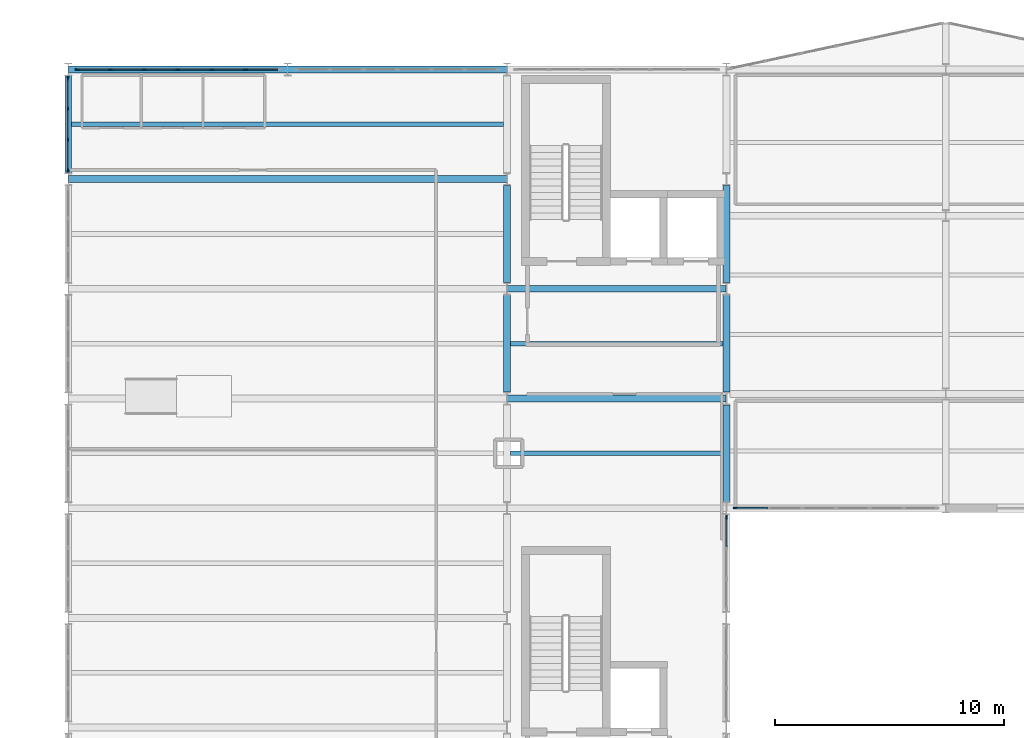
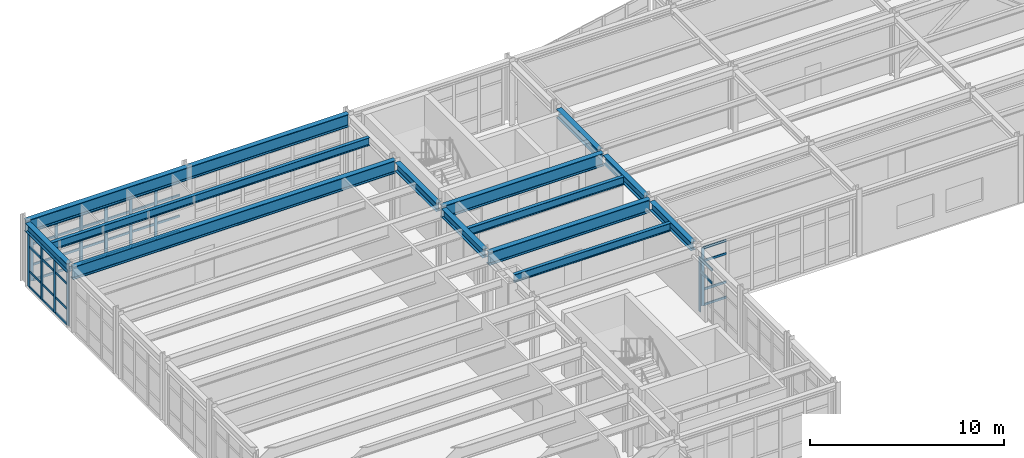
# One storey, part 33 of 88: 54 members, 13 beams, 4 elements without a shape of their own.
"""IFC4 building model written with IfcOpenShell, lengths in metres."""

from ifc_helpers import new_model, si_unit, direction, frame, origin, origin_2d, place, context, subcontext, project, spatial, rectangle, i_section, extrude, material, layer, layer_set, material_profile, profile_set, type_object, element, aggregate, save


model = new_model("IFC4")

# Units and contexts
model_context = context("Model", 3, precision=1e-05, world=origin(), true_north=direction((0.0, 1.0)))
body_context = subcontext(model_context, "Body", "Model", "MODEL_VIEW")
ifc_project = project(units=[si_unit("LENGTHUNIT", "METRE"), si_unit("AREAUNIT", "SQUARE_METRE"), si_unit("VOLUMEUNIT", "CUBIC_METRE"), si_unit("PLANEANGLEUNIT", "RADIAN"), si_unit("MASSUNIT", "GRAM", prefix="KILO")], contexts=[model_context])

# Site, building, storey
site_placement = place(None, origin())
site = spatial("IfcSite", under=ifc_project, at=site_placement, CompositionType="ELEMENT")
building_placement = place(site_placement, origin())
building = spatial("IfcBuilding", under=site, at=building_placement, Name="Nordkorset Police Headquarters", CompositionType="ELEMENT")
storey_placement = place(building_placement, frame((0.0, 0.0, 9.449951171875)))
storey = spatial("IfcBuildingStorey", under=building, at=storey_placement, Name="L02", CompositionType="ELEMENT", Elevation=9.449951171875)

# Beams
ifc_material_1 = material(Name="Steel S355J2", Category="steel")
ifc_material_profile_1 = material_profile(ifc_material_1, i_section(OverallWidth=0.199951171875, OverallDepth=0.5, WebThickness=0.01025390625, FlangeThickness=0.01611328125, FilletRadius=0.02099609375, at=origin_2d()), Name="IPE 500")
ifc_profile_set_1 = profile_set([ifc_material_profile_1], Name="Steel S355J2")
beam_type_1 = type_object("IfcBeamType", Name="Beam_IPE_500", PredefinedType="BEAM", material=ifc_profile_set_1)
beam_placement = place(storey_placement, frame((0.14990234375, 114.39990234375, 3.719970703125), z_axis=(1.0, 0.0, 0.0), x_axis=(0.0, 1.0, 0.0)))
element("IfcBeam", 1, at=beam_placement, inside=storey, type_object=beam_type_1, Name="Composite Floor Beam V1 L02 0-6-1", PredefinedType="BEAM", context=body_context, shape_type="SweptSolid", body=[
    extrude(i_section(OverallWidth=0.199951171875, OverallDepth=0.5, WebThickness=0.01025390625, FlangeThickness=0.01611328125, FilletRadius=0.02099609375, at=origin_2d()), origin(), (0.0, 0.0, 1.0), 18.900146484375),
])
for number, where, z_axis, x_axis, name in (
    (2, (19.35009765625, 100.0, 3.719970703125), (1.0, 0.0, 0.0), (0.0, 1.0, 0.0), "Composite Floor Beam V1 L02 1-3-1"),
    (3, (19.35009765625, 104.800048828125, 3.719970703125), (1.0, 0.0, 0.0), (0.0, 1.0, 0.0), "Composite Floor Beam V1 L02 1-4-1"),
):
    element("IfcBeam", number, at=place(storey_placement, frame(where, z_axis=z_axis, x_axis=x_axis)), inside=storey, type_object=beam_type_1, Name=name, PredefinedType="BEAM", context=body_context, shape_type="SweptSolid", body=[
        extrude(i_section(OverallWidth=0.199951171875, OverallDepth=0.5, WebThickness=0.01025390625, FlangeThickness=0.01611328125, FilletRadius=0.02099609375, at=origin_2d()), origin(), (0.0, 0.0, 1.0), 9.2998046875),
    ])

# Curtain wall, members
ifc_material_2 = material(Name="Aluminium alloy AW-6060", Category="aluminium")
ifc_layer_1 = layer(ifc_material_2, 0.179931640625, Name="Aluminium alloy AW-6060")
ifc_layer_set_1 = layer_set([ifc_layer_1], Name="Aluminium alloy AW-6060")
curtain_wall_type_1 = type_object("IfcCurtainWallType", Name="CW_Unit_408x341", PredefinedType="USERDEFINED", material=ifc_layer_set_1)
curtain_wall_1_placement = place(storey_placement, origin())
curtain_wall_1 = element("IfcCurtainWall", 4, at=curtain_wall_1_placement, inside=storey, type_object=curtain_wall_type_1, Name="Unitised Curtain Wall L02 V1W-6", ObjectType="UNITISED CURTAIN WALL", PredefinedType="USERDEFINED")
ifc_material_3 = material(Name="Aluminium alloy AW-6060", Category="aluminium")
ifc_material_profile_2 = material_profile(ifc_material_3, rectangle(XDim=0.06494140625, YDim=0.179931640625, at=origin_2d()), Name="ALU MULL 65x180")
ifc_profile_set_2 = profile_set([ifc_material_profile_2], Name="Aluminium alloy AW-6060")
member_type_1 = type_object("IfcMemberType", Name="CW_Mullion_65x180", PredefinedType="MULLION", material=ifc_profile_set_2)
member_1_placement = place(storey_placement, frame((0.0, 112.392578125, 0.0), z_axis=(0.0, 0.0, 1.0), x_axis=(-1.0, 0.0, 0.0)))
member_1 = element("IfcMember", 5, at=member_1_placement, type_object=member_type_1, Name="CW-40 mullion 1", PredefinedType="MULLION", context=body_context, shape_type="SweptSolid", body=[
    extrude(rectangle(XDim=0.06494140625, YDim=0.179931640625, at=origin_2d()), origin(), (0.0, 0.0, 1.0), 3.41015625),
])
member_2_placement = place(storey_placement, frame((0.0, 113.719970703125, 0.0), z_axis=(0.0, 0.0, 1.0), x_axis=(-1.0, 0.0, 0.0)))
member_2 = element("IfcMember", 6, at=member_2_placement, type_object=member_type_1, Name="CW-40 mullion 2", PredefinedType="MULLION", context=body_context, shape_type="SweptSolid", body=[
    extrude(rectangle(XDim=0.06494140625, YDim=0.179931640625, at=origin_2d()), origin(), (0.0, 0.0, 1.0), 3.41015625),
])
member_3_placement = place(storey_placement, frame((0.0, 115.080078125, 0.0), z_axis=(0.0, 0.0, 1.0), x_axis=(-1.0, 0.0, 0.0)))
member_3 = element("IfcMember", 7, at=member_3_placement, type_object=member_type_1, Name="CW-40 mullion 3", PredefinedType="MULLION", context=body_context, shape_type="SweptSolid", body=[
    extrude(rectangle(XDim=0.06494140625, YDim=0.179931640625, at=origin_2d()), origin(), (0.0, 0.0, 1.0), 3.41015625),
])
member_4_placement = place(storey_placement, frame((0.0, 116.407470703125, 0.0), z_axis=(0.0, 0.0, 1.0), x_axis=(-1.0, 0.0, 0.0)))
member_4 = element("IfcMember", 8, at=member_4_placement, type_object=member_type_1, Name="CW-40 mullion 4", PredefinedType="MULLION", context=body_context, shape_type="SweptSolid", body=[
    extrude(rectangle(XDim=0.06494140625, YDim=0.179931640625, at=origin_2d()), origin(), (0.0, 0.0, 1.0), 3.41015625),
])

ifc_material_4 = material(Name="Aluminium alloy AW-6060", Category="aluminium")
ifc_layer_2 = layer(ifc_material_4, 0.179931640625, Name="Aluminium alloy AW-6060")
ifc_layer_set_2 = layer_set([ifc_layer_2], Name="Aluminium alloy AW-6060")
curtain_wall_type_2 = type_object("IfcCurtainWallType", Name="CW_Unit_888x315", PredefinedType="USERDEFINED", material=ifc_layer_set_2)
curtain_wall_2_placement = place(storey_placement, origin())
curtain_wall_2 = element("IfcCurtainWall", 9, at=curtain_wall_2_placement, inside=storey, type_object=curtain_wall_type_2, Name="Unitised Curtain Wall L02 V1N-0", ObjectType="UNITISED CURTAIN WALL", PredefinedType="USERDEFINED")
member_5_placement = place(storey_placement, frame((0.392578125, 116.800048828125, 0.0), z_axis=(0.0, 0.0, 1.0), x_axis=(0.0, 1.0, 0.0)))
member_5 = element("IfcMember", 10, at=member_5_placement, type_object=member_type_1, Name="CW-22 mullion 1", PredefinedType="MULLION", context=body_context, shape_type="SweptSolid", body=[
    extrude(rectangle(XDim=0.06494140625, YDim=0.179931640625, at=origin_2d()), origin(), (0.0, 0.0, 1.0), 3.150146484375),
])
member_6_placement = place(storey_placement, frame((1.840087890625, 116.800048828125, 0.0), z_axis=(0.0, 0.0, 1.0), x_axis=(0.0, 1.0, 0.0)))
member_6 = element("IfcMember", 11, at=member_6_placement, type_object=member_type_1, Name="CW-22 mullion 2", PredefinedType="MULLION", context=body_context, shape_type="SweptSolid", body=[
    extrude(rectangle(XDim=0.06494140625, YDim=0.179931640625, at=origin_2d()), origin(), (0.0, 0.0, 1.0), 3.150146484375),
])
member_7_placement = place(storey_placement, frame((3.320068359375, 116.800048828125, 0.0), z_axis=(0.0, 0.0, 1.0), x_axis=(0.0, 1.0, 0.0)))
member_7 = element("IfcMember", 12, at=member_7_placement, type_object=member_type_1, Name="CW-22 mullion 3", PredefinedType="MULLION", context=body_context, shape_type="SweptSolid", body=[
    extrude(rectangle(XDim=0.06494140625, YDim=0.179931640625, at=origin_2d()), origin(), (0.0, 0.0, 1.0), 3.150146484375),
])
member_8_placement = place(storey_placement, frame((4.800048828125, 116.800048828125, 0.0), z_axis=(0.0, 0.0, 1.0), x_axis=(0.0, 1.0, 0.0)))
member_8 = element("IfcMember", 13, at=member_8_placement, type_object=member_type_1, Name="CW-22 mullion 4", PredefinedType="MULLION", context=body_context, shape_type="SweptSolid", body=[
    extrude(rectangle(XDim=0.06494140625, YDim=0.179931640625, at=origin_2d()), origin(), (0.0, 0.0, 1.0), 3.150146484375),
])
member_9_placement = place(storey_placement, frame((6.280029296875, 116.800048828125, 0.0), z_axis=(0.0, 0.0, 1.0), x_axis=(0.0, 1.0, 0.0)))
member_9 = element("IfcMember", 14, at=member_9_placement, type_object=member_type_1, Name="CW-22 mullion 5", PredefinedType="MULLION", context=body_context, shape_type="SweptSolid", body=[
    extrude(rectangle(XDim=0.06494140625, YDim=0.179931640625, at=origin_2d()), origin(), (0.0, 0.0, 1.0), 3.150146484375),
])
member_10_placement = place(storey_placement, frame((7.760009765625, 116.800048828125, 0.0), z_axis=(0.0, 0.0, 1.0), x_axis=(0.0, 1.0, 0.0)))
member_10 = element("IfcMember", 15, at=member_10_placement, type_object=member_type_1, Name="CW-22 mullion 6", PredefinedType="MULLION", context=body_context, shape_type="SweptSolid", body=[
    extrude(rectangle(XDim=0.06494140625, YDim=0.179931640625, at=origin_2d()), origin(), (0.0, 0.0, 1.0), 3.150146484375),
])

# Curtain wall, member
curtain_wall_3_placement = place(storey_placement, origin())
curtain_wall_3 = element("IfcCurtainWall", 16, at=curtain_wall_3_placement, inside=storey, type_object=curtain_wall_type_1, Name="Unitised Curtain Wall L02 V1E-2", ObjectType="UNITISED CURTAIN WALL", PredefinedType="USERDEFINED")
member_11_placement = place(storey_placement, frame((28.800048828125, 97.20751953125, 0.0), z_axis=(0.0, 0.0, 1.0), x_axis=(-1.0, 0.0, 0.0)))
member_11 = element("IfcMember", 17, at=member_11_placement, type_object=member_type_1, Name="CW-40 mullion 4", PredefinedType="MULLION", context=body_context, shape_type="SweptSolid", body=[
    extrude(rectangle(XDim=0.06494140625, YDim=0.179931640625, at=origin_2d()), origin(), (0.0, 0.0, 1.0), 3.41015625),
])

ifc_material_5 = material(Name="Aluminium alloy AW-6060", Category="aluminium")
ifc_layer_3 = layer(ifc_material_5, 0.179931640625, Name="Aluminium alloy AW-6060")
ifc_layer_set_3 = layer_set([ifc_layer_3], Name="Aluminium alloy AW-6060")
curtain_wall_type_3 = type_object("IfcCurtainWallType", Name="CW_Unit_888x364", PredefinedType="USERDEFINED", material=ifc_layer_set_3)
curtain_wall_4_placement = place(storey_placement, origin())
curtain_wall_4 = element("IfcCurtainWall", 18, at=curtain_wall_4_placement, inside=storey, type_object=curtain_wall_type_3, Name="Unitised Curtain Wall L02 V2S-0", ObjectType="UNITISED CURTAIN WALL", PredefinedType="USERDEFINED")
member_12_placement = place(storey_placement, frame((29.1923828125, 97.60009765625, 0.0), z_axis=(0.0, 0.0, 1.0), x_axis=(0.0, 1.0, 0.0)))
member_12 = element("IfcMember", 19, at=member_12_placement, type_object=member_type_1, Name="CW-53 mullion 1", PredefinedType="MULLION", context=body_context, shape_type="SweptSolid", body=[
    extrude(rectangle(XDim=0.06494140625, YDim=0.179931640625, at=origin_2d()), origin(), (0.0, 0.0, 1.0), 3.64013671875),
])

# Member
ifc_material_6 = material(Name="Aluminium alloy AW-6060", Category="aluminium")
ifc_material_profile_3 = material_profile(ifc_material_6, rectangle(XDim=0.06494140625, YDim=0.139892578125, at=origin_2d()), Name="ALU TRAN 65x140")
ifc_profile_set_3 = profile_set([ifc_material_profile_3], Name="Aluminium alloy AW-6060")
member_type_2 = type_object("IfcMemberType", Name="CW_Transom_65x140", PredefinedType="USERDEFINED", material=ifc_profile_set_3)
member_13_placement = place(storey_placement, frame((0.0, 112.425048828125, 0.032470703125), z_axis=(0.0, 1.0, 0.0), x_axis=(-1.0, 0.0, 0.0)))
member_13 = element("IfcMember", 20, at=member_13_placement, type_object=member_type_2, Name="CW-40 transom 1.1", ObjectType="TRANSOM", PredefinedType="USERDEFINED", context=body_context, shape_type="SweptSolid", body=[
    extrude(rectangle(XDim=0.06494140625, YDim=0.139892578125, at=origin_2d()), origin(), (0.0, 0.0, 1.0), 1.262451171875),
])

member_14_placement = place(storey_placement, frame((0.0, 112.425048828125, 1.0), z_axis=(0.0, 1.0, 0.0), x_axis=(-1.0, 0.0, 0.0)))
member_14 = element("IfcMember", 21, at=member_14_placement, type_object=member_type_2, Name="CW-40 transom 1.2", ObjectType="TRANSOM", PredefinedType="USERDEFINED", context=body_context, shape_type="SweptSolid", body=[
    extrude(rectangle(XDim=0.06494140625, YDim=0.139892578125, at=origin_2d()), origin(), (0.0, 0.0, 1.0), 1.262451171875),
])

member_15_placement = place(storey_placement, frame((0.0, 112.425048828125, 2.56005859375), z_axis=(0.0, 1.0, 0.0), x_axis=(-1.0, 0.0, 0.0)))
member_15 = element("IfcMember", 22, at=member_15_placement, type_object=member_type_2, Name="CW-40 transom 1.3", ObjectType="TRANSOM", PredefinedType="USERDEFINED", context=body_context, shape_type="SweptSolid", body=[
    extrude(rectangle(XDim=0.06494140625, YDim=0.139892578125, at=origin_2d()), origin(), (0.0, 0.0, 1.0), 1.262451171875),
])

member_16_placement = place(storey_placement, frame((0.0, 112.425048828125, 3.37744140625), z_axis=(0.0, 1.0, 0.0), x_axis=(-1.0, 0.0, 0.0)))
member_16 = element("IfcMember", 23, at=member_16_placement, type_object=member_type_2, Name="CW-40 transom 1.4", ObjectType="TRANSOM", PredefinedType="USERDEFINED", context=body_context, shape_type="SweptSolid", body=[
    extrude(rectangle(XDim=0.06494140625, YDim=0.139892578125, at=origin_2d()), origin(), (0.0, 0.0, 1.0), 1.262451171875),
])

member_17_placement = place(storey_placement, frame((0.0, 113.75244140625, 0.032470703125), z_axis=(0.0, 1.0, 0.0), x_axis=(-1.0, 0.0, 0.0)))
member_17 = element("IfcMember", 24, at=member_17_placement, type_object=member_type_2, Name="CW-40 transom 2.1", ObjectType="TRANSOM", PredefinedType="USERDEFINED", context=body_context, shape_type="SweptSolid", body=[
    extrude(rectangle(XDim=0.06494140625, YDim=0.139892578125, at=origin_2d()), origin(), (0.0, 0.0, 1.0), 1.295166015625),
])

member_18_placement = place(storey_placement, frame((0.0, 113.75244140625, 1.0), z_axis=(0.0, 1.0, 0.0), x_axis=(-1.0, 0.0, 0.0)))
member_18 = element("IfcMember", 25, at=member_18_placement, type_object=member_type_2, Name="CW-40 transom 2.2", ObjectType="TRANSOM", PredefinedType="USERDEFINED", context=body_context, shape_type="SweptSolid", body=[
    extrude(rectangle(XDim=0.06494140625, YDim=0.139892578125, at=origin_2d()), origin(), (0.0, 0.0, 1.0), 1.295166015625),
])

member_19_placement = place(storey_placement, frame((0.0, 113.75244140625, 2.56005859375), z_axis=(0.0, 1.0, 0.0), x_axis=(-1.0, 0.0, 0.0)))
member_19 = element("IfcMember", 26, at=member_19_placement, type_object=member_type_2, Name="CW-40 transom 2.3", ObjectType="TRANSOM", PredefinedType="USERDEFINED", context=body_context, shape_type="SweptSolid", body=[
    extrude(rectangle(XDim=0.06494140625, YDim=0.139892578125, at=origin_2d()), origin(), (0.0, 0.0, 1.0), 1.295166015625),
])

member_20_placement = place(storey_placement, frame((0.0, 113.75244140625, 3.37744140625), z_axis=(0.0, 1.0, 0.0), x_axis=(-1.0, 0.0, 0.0)))
member_20 = element("IfcMember", 27, at=member_20_placement, type_object=member_type_2, Name="CW-40 transom 2.4", ObjectType="TRANSOM", PredefinedType="USERDEFINED", context=body_context, shape_type="SweptSolid", body=[
    extrude(rectangle(XDim=0.06494140625, YDim=0.139892578125, at=origin_2d()), origin(), (0.0, 0.0, 1.0), 1.295166015625),
])

member_21_placement = place(storey_placement, frame((0.0, 115.112548828125, 0.032470703125), z_axis=(0.0, 1.0, 0.0), x_axis=(-1.0, 0.0, 0.0)))
member_21 = element("IfcMember", 28, at=member_21_placement, type_object=member_type_2, Name="CW-40 transom 3.1", ObjectType="TRANSOM", PredefinedType="USERDEFINED", context=body_context, shape_type="SweptSolid", body=[
    extrude(rectangle(XDim=0.06494140625, YDim=0.139892578125, at=origin_2d()), origin(), (0.0, 0.0, 1.0), 1.262451171875),
])

member_22_placement = place(storey_placement, frame((0.0, 115.112548828125, 1.0), z_axis=(0.0, 1.0, 0.0), x_axis=(-1.0, 0.0, 0.0)))
member_22 = element("IfcMember", 29, at=member_22_placement, type_object=member_type_2, Name="CW-40 transom 3.2", ObjectType="TRANSOM", PredefinedType="USERDEFINED", context=body_context, shape_type="SweptSolid", body=[
    extrude(rectangle(XDim=0.06494140625, YDim=0.139892578125, at=origin_2d()), origin(), (0.0, 0.0, 1.0), 1.262451171875),
])

member_23_placement = place(storey_placement, frame((0.0, 115.112548828125, 2.56005859375), z_axis=(0.0, 1.0, 0.0), x_axis=(-1.0, 0.0, 0.0)))
member_23 = element("IfcMember", 30, at=member_23_placement, type_object=member_type_2, Name="CW-40 transom 3.3", ObjectType="TRANSOM", PredefinedType="USERDEFINED", context=body_context, shape_type="SweptSolid", body=[
    extrude(rectangle(XDim=0.06494140625, YDim=0.139892578125, at=origin_2d()), origin(), (0.0, 0.0, 1.0), 1.262451171875),
])

member_24_placement = place(storey_placement, frame((0.0, 115.112548828125, 3.37744140625), z_axis=(0.0, 1.0, 0.0), x_axis=(-1.0, 0.0, 0.0)))
member_24 = element("IfcMember", 31, at=member_24_placement, type_object=member_type_2, Name="CW-40 transom 3.4", ObjectType="TRANSOM", PredefinedType="USERDEFINED", context=body_context, shape_type="SweptSolid", body=[
    extrude(rectangle(XDim=0.06494140625, YDim=0.139892578125, at=origin_2d()), origin(), (0.0, 0.0, 1.0), 1.262451171875),
])

aggregate(curtain_wall_1, [member_1, member_2, member_3, member_4, member_13, member_14, member_15, member_16, member_17, member_18, member_19, member_20, member_21, member_22, member_23, member_24])

member_25_placement = place(storey_placement, frame((0.425048828125, 116.800048828125, 0.032470703125), z_axis=(1.0, 0.0, 0.0), x_axis=(0.0, 1.0, 0.0)))
member_25 = element("IfcMember", 32, at=member_25_placement, type_object=member_type_2, Name="CW-22 transom 1.1", ObjectType="TRANSOM", PredefinedType="USERDEFINED", context=body_context, shape_type="SweptSolid", body=[
    extrude(rectangle(XDim=0.06494140625, YDim=0.139892578125, at=origin_2d()), origin(), (0.0, 0.0, 1.0), 1.382568359375),
])

member_26_placement = place(storey_placement, frame((0.425048828125, 116.800048828125, 1.0), z_axis=(1.0, 0.0, 0.0), x_axis=(0.0, 1.0, 0.0)))
member_26 = element("IfcMember", 33, at=member_26_placement, type_object=member_type_2, Name="CW-22 transom 1.2", ObjectType="TRANSOM", PredefinedType="USERDEFINED", context=body_context, shape_type="SweptSolid", body=[
    extrude(rectangle(XDim=0.06494140625, YDim=0.139892578125, at=origin_2d()), origin(), (0.0, 0.0, 1.0), 1.382568359375),
])

member_27_placement = place(storey_placement, frame((0.425048828125, 116.800048828125, 2.300048828125), z_axis=(1.0, 0.0, 0.0), x_axis=(0.0, 1.0, 0.0)))
member_27 = element("IfcMember", 34, at=member_27_placement, type_object=member_type_2, Name="CW-22 transom 1.3", ObjectType="TRANSOM", PredefinedType="USERDEFINED", context=body_context, shape_type="SweptSolid", body=[
    extrude(rectangle(XDim=0.06494140625, YDim=0.139892578125, at=origin_2d()), origin(), (0.0, 0.0, 1.0), 1.382568359375),
])

member_28_placement = place(storey_placement, frame((0.425048828125, 116.800048828125, 3.117431640625), z_axis=(1.0, 0.0, 0.0), x_axis=(0.0, 1.0, 0.0)))
member_28 = element("IfcMember", 35, at=member_28_placement, type_object=member_type_2, Name="CW-22 transom 1.4", ObjectType="TRANSOM", PredefinedType="USERDEFINED", context=body_context, shape_type="SweptSolid", body=[
    extrude(rectangle(XDim=0.06494140625, YDim=0.139892578125, at=origin_2d()), origin(), (0.0, 0.0, 1.0), 1.382568359375),
])

member_29_placement = place(storey_placement, frame((1.87255859375, 116.800048828125, 0.032470703125), z_axis=(1.0, 0.0, 0.0), x_axis=(0.0, 1.0, 0.0)))
member_29 = element("IfcMember", 36, at=member_29_placement, type_object=member_type_2, Name="CW-22 transom 2.1", ObjectType="TRANSOM", PredefinedType="USERDEFINED", context=body_context, shape_type="SweptSolid", body=[
    extrude(rectangle(XDim=0.06494140625, YDim=0.139892578125, at=origin_2d()), origin(), (0.0, 0.0, 1.0), 1.4150390625),
])

member_30_placement = place(storey_placement, frame((1.87255859375, 116.800048828125, 1.0), z_axis=(1.0, 0.0, 0.0), x_axis=(0.0, 1.0, 0.0)))
member_30 = element("IfcMember", 37, at=member_30_placement, type_object=member_type_2, Name="CW-22 transom 2.2", ObjectType="TRANSOM", PredefinedType="USERDEFINED", context=body_context, shape_type="SweptSolid", body=[
    extrude(rectangle(XDim=0.06494140625, YDim=0.139892578125, at=origin_2d()), origin(), (0.0, 0.0, 1.0), 1.4150390625),
])

member_31_placement = place(storey_placement, frame((1.87255859375, 116.800048828125, 2.300048828125), z_axis=(1.0, 0.0, 0.0), x_axis=(0.0, 1.0, 0.0)))
member_31 = element("IfcMember", 38, at=member_31_placement, type_object=member_type_2, Name="CW-22 transom 2.3", ObjectType="TRANSOM", PredefinedType="USERDEFINED", context=body_context, shape_type="SweptSolid", body=[
    extrude(rectangle(XDim=0.06494140625, YDim=0.139892578125, at=origin_2d()), origin(), (0.0, 0.0, 1.0), 1.4150390625),
])

member_32_placement = place(storey_placement, frame((1.87255859375, 116.800048828125, 3.117431640625), z_axis=(1.0, 0.0, 0.0), x_axis=(0.0, 1.0, 0.0)))
member_32 = element("IfcMember", 39, at=member_32_placement, type_object=member_type_2, Name="CW-22 transom 2.4", ObjectType="TRANSOM", PredefinedType="USERDEFINED", context=body_context, shape_type="SweptSolid", body=[
    extrude(rectangle(XDim=0.06494140625, YDim=0.139892578125, at=origin_2d()), origin(), (0.0, 0.0, 1.0), 1.4150390625),
])

member_33_placement = place(storey_placement, frame((3.3525390625, 116.800048828125, 0.032470703125), z_axis=(1.0, 0.0, 0.0), x_axis=(0.0, 1.0, 0.0)))
member_33 = element("IfcMember", 40, at=member_33_placement, type_object=member_type_2, Name="CW-22 transom 3.1", ObjectType="TRANSOM", PredefinedType="USERDEFINED", context=body_context, shape_type="SweptSolid", body=[
    extrude(rectangle(XDim=0.06494140625, YDim=0.139892578125, at=origin_2d()), origin(), (0.0, 0.0, 1.0), 1.4150390625),
])

member_34_placement = place(storey_placement, frame((3.3525390625, 116.800048828125, 1.0), z_axis=(1.0, 0.0, 0.0), x_axis=(0.0, 1.0, 0.0)))
member_34 = element("IfcMember", 41, at=member_34_placement, type_object=member_type_2, Name="CW-22 transom 3.2", ObjectType="TRANSOM", PredefinedType="USERDEFINED", context=body_context, shape_type="SweptSolid", body=[
    extrude(rectangle(XDim=0.06494140625, YDim=0.139892578125, at=origin_2d()), origin(), (0.0, 0.0, 1.0), 1.4150390625),
])

member_35_placement = place(storey_placement, frame((3.3525390625, 116.800048828125, 2.300048828125), z_axis=(1.0, 0.0, 0.0), x_axis=(0.0, 1.0, 0.0)))
member_35 = element("IfcMember", 42, at=member_35_placement, type_object=member_type_2, Name="CW-22 transom 3.3", ObjectType="TRANSOM", PredefinedType="USERDEFINED", context=body_context, shape_type="SweptSolid", body=[
    extrude(rectangle(XDim=0.06494140625, YDim=0.139892578125, at=origin_2d()), origin(), (0.0, 0.0, 1.0), 1.4150390625),
])

member_36_placement = place(storey_placement, frame((3.3525390625, 116.800048828125, 3.117431640625), z_axis=(1.0, 0.0, 0.0), x_axis=(0.0, 1.0, 0.0)))
member_36 = element("IfcMember", 43, at=member_36_placement, type_object=member_type_2, Name="CW-22 transom 3.4", ObjectType="TRANSOM", PredefinedType="USERDEFINED", context=body_context, shape_type="SweptSolid", body=[
    extrude(rectangle(XDim=0.06494140625, YDim=0.139892578125, at=origin_2d()), origin(), (0.0, 0.0, 1.0), 1.4150390625),
])

member_37_placement = place(storey_placement, frame((4.83251953125, 116.800048828125, 0.032470703125), z_axis=(1.0, 0.0, 0.0), x_axis=(0.0, 1.0, 0.0)))
member_37 = element("IfcMember", 44, at=member_37_placement, type_object=member_type_2, Name="CW-22 transom 4.1", ObjectType="TRANSOM", PredefinedType="USERDEFINED", context=body_context, shape_type="SweptSolid", body=[
    extrude(rectangle(XDim=0.06494140625, YDim=0.139892578125, at=origin_2d()), origin(), (0.0, 0.0, 1.0), 1.4150390625),
])

member_38_placement = place(storey_placement, frame((4.83251953125, 116.800048828125, 1.0), z_axis=(1.0, 0.0, 0.0), x_axis=(0.0, 1.0, 0.0)))
member_38 = element("IfcMember", 45, at=member_38_placement, type_object=member_type_2, Name="CW-22 transom 4.2", ObjectType="TRANSOM", PredefinedType="USERDEFINED", context=body_context, shape_type="SweptSolid", body=[
    extrude(rectangle(XDim=0.06494140625, YDim=0.139892578125, at=origin_2d()), origin(), (0.0, 0.0, 1.0), 1.4150390625),
])

member_39_placement = place(storey_placement, frame((4.83251953125, 116.800048828125, 2.300048828125), z_axis=(1.0, 0.0, 0.0), x_axis=(0.0, 1.0, 0.0)))
member_39 = element("IfcMember", 46, at=member_39_placement, type_object=member_type_2, Name="CW-22 transom 4.3", ObjectType="TRANSOM", PredefinedType="USERDEFINED", context=body_context, shape_type="SweptSolid", body=[
    extrude(rectangle(XDim=0.06494140625, YDim=0.139892578125, at=origin_2d()), origin(), (0.0, 0.0, 1.0), 1.4150390625),
])

member_40_placement = place(storey_placement, frame((4.83251953125, 116.800048828125, 3.117431640625), z_axis=(1.0, 0.0, 0.0), x_axis=(0.0, 1.0, 0.0)))
member_40 = element("IfcMember", 47, at=member_40_placement, type_object=member_type_2, Name="CW-22 transom 4.4", ObjectType="TRANSOM", PredefinedType="USERDEFINED", context=body_context, shape_type="SweptSolid", body=[
    extrude(rectangle(XDim=0.06494140625, YDim=0.139892578125, at=origin_2d()), origin(), (0.0, 0.0, 1.0), 1.4150390625),
])

member_41_placement = place(storey_placement, frame((6.3125, 116.800048828125, 0.032470703125), z_axis=(1.0, 0.0, 0.0), x_axis=(0.0, 1.0, 0.0)))
member_41 = element("IfcMember", 48, at=member_41_placement, type_object=member_type_2, Name="CW-22 transom 5.1", ObjectType="TRANSOM", PredefinedType="USERDEFINED", context=body_context, shape_type="SweptSolid", body=[
    extrude(rectangle(XDim=0.06494140625, YDim=0.139892578125, at=origin_2d()), origin(), (0.0, 0.0, 1.0), 1.4150390625),
])

member_42_placement = place(storey_placement, frame((6.3125, 116.800048828125, 1.0), z_axis=(1.0, 0.0, 0.0), x_axis=(0.0, 1.0, 0.0)))
member_42 = element("IfcMember", 49, at=member_42_placement, type_object=member_type_2, Name="CW-22 transom 5.2", ObjectType="TRANSOM", PredefinedType="USERDEFINED", context=body_context, shape_type="SweptSolid", body=[
    extrude(rectangle(XDim=0.06494140625, YDim=0.139892578125, at=origin_2d()), origin(), (0.0, 0.0, 1.0), 1.4150390625),
])

member_43_placement = place(storey_placement, frame((6.3125, 116.800048828125, 2.300048828125), z_axis=(1.0, 0.0, 0.0), x_axis=(0.0, 1.0, 0.0)))
member_43 = element("IfcMember", 50, at=member_43_placement, type_object=member_type_2, Name="CW-22 transom 5.3", ObjectType="TRANSOM", PredefinedType="USERDEFINED", context=body_context, shape_type="SweptSolid", body=[
    extrude(rectangle(XDim=0.06494140625, YDim=0.139892578125, at=origin_2d()), origin(), (0.0, 0.0, 1.0), 1.4150390625),
])

member_44_placement = place(storey_placement, frame((6.3125, 116.800048828125, 3.117431640625), z_axis=(1.0, 0.0, 0.0), x_axis=(0.0, 1.0, 0.0)))
member_44 = element("IfcMember", 51, at=member_44_placement, type_object=member_type_2, Name="CW-22 transom 5.4", ObjectType="TRANSOM", PredefinedType="USERDEFINED", context=body_context, shape_type="SweptSolid", body=[
    extrude(rectangle(XDim=0.06494140625, YDim=0.139892578125, at=origin_2d()), origin(), (0.0, 0.0, 1.0), 1.4150390625),
])

member_45_placement = place(storey_placement, frame((7.79248046875, 116.800048828125, 0.032470703125), z_axis=(1.0, 0.0, 0.0), x_axis=(0.0, 1.0, 0.0)))
member_45 = element("IfcMember", 52, at=member_45_placement, type_object=member_type_2, Name="CW-22 transom 6.1", ObjectType="TRANSOM", PredefinedType="USERDEFINED", context=body_context, shape_type="SweptSolid", body=[
    extrude(rectangle(XDim=0.06494140625, YDim=0.139892578125, at=origin_2d()), origin(), (0.0, 0.0, 1.0), 1.382568359375),
])

member_46_placement = place(storey_placement, frame((7.79248046875, 116.800048828125, 1.0), z_axis=(1.0, 0.0, 0.0), x_axis=(0.0, 1.0, 0.0)))
member_46 = element("IfcMember", 53, at=member_46_placement, type_object=member_type_2, Name="CW-22 transom 6.2", ObjectType="TRANSOM", PredefinedType="USERDEFINED", context=body_context, shape_type="SweptSolid", body=[
    extrude(rectangle(XDim=0.06494140625, YDim=0.139892578125, at=origin_2d()), origin(), (0.0, 0.0, 1.0), 1.382568359375),
])

member_47_placement = place(storey_placement, frame((7.79248046875, 116.800048828125, 2.300048828125), z_axis=(1.0, 0.0, 0.0), x_axis=(0.0, 1.0, 0.0)))
member_47 = element("IfcMember", 54, at=member_47_placement, type_object=member_type_2, Name="CW-22 transom 6.3", ObjectType="TRANSOM", PredefinedType="USERDEFINED", context=body_context, shape_type="SweptSolid", body=[
    extrude(rectangle(XDim=0.06494140625, YDim=0.139892578125, at=origin_2d()), origin(), (0.0, 0.0, 1.0), 1.382568359375),
])

member_48_placement = place(storey_placement, frame((7.79248046875, 116.800048828125, 3.117431640625), z_axis=(1.0, 0.0, 0.0), x_axis=(0.0, 1.0, 0.0)))
member_48 = element("IfcMember", 55, at=member_48_placement, type_object=member_type_2, Name="CW-22 transom 6.4", ObjectType="TRANSOM", PredefinedType="USERDEFINED", context=body_context, shape_type="SweptSolid", body=[
    extrude(rectangle(XDim=0.06494140625, YDim=0.139892578125, at=origin_2d()), origin(), (0.0, 0.0, 1.0), 1.382568359375),
])

aggregate(curtain_wall_2, [member_5, member_6, member_7, member_8, member_9, member_10, member_25, member_26, member_27, member_28, member_29, member_30, member_31, member_32, member_33, member_34, member_35, member_36, member_37, member_38, member_39, member_40, member_41, member_42, member_43, member_44, member_45, member_46, member_47, member_48])

member_49_placement = place(storey_placement, frame((28.800048828125, 95.91259765625, 2.56005859375), z_axis=(0.0, 1.0, 0.0), x_axis=(-1.0, 0.0, 0.0)))
member_49 = element("IfcMember", 56, at=member_49_placement, type_object=member_type_2, Name="CW-40 transom 3.3", ObjectType="TRANSOM", PredefinedType="USERDEFINED", context=body_context, shape_type="SweptSolid", body=[
    extrude(rectangle(XDim=0.06494140625, YDim=0.139892578125, at=origin_2d()), origin(), (0.0, 0.0, 1.0), 1.262451171875),
])

member_50_placement = place(storey_placement, frame((28.800048828125, 95.91259765625, 3.37744140625), z_axis=(0.0, 1.0, 0.0), x_axis=(-1.0, 0.0, 0.0)))
member_50 = element("IfcMember", 57, at=member_50_placement, type_object=member_type_2, Name="CW-40 transom 3.4", ObjectType="TRANSOM", PredefinedType="USERDEFINED", context=body_context, shape_type="SweptSolid", body=[
    extrude(rectangle(XDim=0.06494140625, YDim=0.139892578125, at=origin_2d()), origin(), (0.0, 0.0, 1.0), 1.262451171875),
])

aggregate(curtain_wall_3, [member_11, member_49, member_50])

member_51_placement = place(storey_placement, frame((29.22509765625, 97.60009765625, 0.032470703125), z_axis=(1.0, 0.0, 0.0), x_axis=(0.0, 1.0, 0.0)))
member_51 = element("IfcMember", 58, at=member_51_placement, type_object=member_type_2, Name="CW-53 transom 1.1", ObjectType="TRANSOM", PredefinedType="USERDEFINED", context=body_context, shape_type="SweptSolid", body=[
    extrude(rectangle(XDim=0.06494140625, YDim=0.139892578125, at=origin_2d()), origin(), (0.0, 0.0, 1.0), 1.38232421875),
])

member_52_placement = place(storey_placement, frame((29.22509765625, 97.60009765625, 1.0), z_axis=(1.0, 0.0, 0.0), x_axis=(0.0, 1.0, 0.0)))
member_52 = element("IfcMember", 59, at=member_52_placement, type_object=member_type_2, Name="CW-53 transom 1.2", ObjectType="TRANSOM", PredefinedType="USERDEFINED", context=body_context, shape_type="SweptSolid", body=[
    extrude(rectangle(XDim=0.06494140625, YDim=0.139892578125, at=origin_2d()), origin(), (0.0, 0.0, 1.0), 1.38232421875),
])

member_53_placement = place(storey_placement, frame((29.22509765625, 97.60009765625, 2.7900390625), z_axis=(1.0, 0.0, 0.0), x_axis=(0.0, 1.0, 0.0)))
member_53 = element("IfcMember", 60, at=member_53_placement, type_object=member_type_2, Name="CW-53 transom 1.3", ObjectType="TRANSOM", PredefinedType="USERDEFINED", context=body_context, shape_type="SweptSolid", body=[
    extrude(rectangle(XDim=0.06494140625, YDim=0.139892578125, at=origin_2d()), origin(), (0.0, 0.0, 1.0), 1.38232421875),
])

member_54_placement = place(storey_placement, frame((29.22509765625, 97.60009765625, 3.607666015625), z_axis=(1.0, 0.0, 0.0), x_axis=(0.0, 1.0, 0.0)))
member_54 = element("IfcMember", 61, at=member_54_placement, type_object=member_type_2, Name="CW-53 transom 1.4", ObjectType="TRANSOM", PredefinedType="USERDEFINED", context=body_context, shape_type="SweptSolid", body=[
    extrude(rectangle(XDim=0.06494140625, YDim=0.139892578125, at=origin_2d()), origin(), (0.0, 0.0, 1.0), 1.38232421875),
])

aggregate(curtain_wall_4, [member_12, member_51, member_52, member_53, member_54])

# Beams
ifc_material_7 = material(Name="Steel S355J2", Category="steel")
ifc_material_profile_4 = material_profile(ifc_material_7, i_section(OverallWidth=0.300048828125, OverallDepth=0.5400390625, WebThickness=0.012451171875, FlangeThickness=0.02392578125, FilletRadius=0.027099609375, at=origin_2d()), Name="HEA 550")
ifc_profile_set_4 = profile_set([ifc_material_profile_4], Name="Steel S355J2")
beam_type_2 = type_object("IfcBeamType", Name="Girder_HEA_550", PredefinedType="USERDEFINED", material=ifc_profile_set_4)
for number, where, z_axis, x_axis, name in (
    (62, (0.0, 112.27490234375, 3.699951171875), (0.0, 1.0, 0.0), (-1.0, 0.0, 0.0), "Girder V1 L02 GY-0-6"),
    (63, (19.199951171875, 102.675048828125, 3.699951171875), (0.0, 1.0, 0.0), (-1.0, 0.0, 0.0), "Girder V1 L02 GY-1-4"),
    (64, (19.199951171875, 107.47509765625, 3.699951171875), (0.0, 1.0, 0.0), (-1.0, 0.0, 0.0), "Girder V1 L02 GY-1-5"),
    (65, (28.800048828125, 97.875, 3.699951171875), (0.0, 1.0, 0.0), (-1.0, 0.0, 0.0), "Girder V1 L02 GY-2-3"),
    (66, (28.800048828125, 102.675048828125, 3.699951171875), (0.0, 1.0, 0.0), (-1.0, 0.0, 0.0), "Girder V1 L02 GY-2-4"),
    (67, (28.800048828125, 107.47509765625, 3.699951171875), (0.0, 1.0, 0.0), (-1.0, 0.0, 0.0), "Girder V1 L02 GY-2-5"),
):
    element("IfcBeam", number, at=place(storey_placement, frame(where, z_axis=z_axis, x_axis=x_axis)), inside=storey, type_object=beam_type_2, Name=name, ObjectType="GIRDER", PredefinedType="USERDEFINED", context=body_context, shape_type="SweptSolid", body=[
        extrude(i_section(OverallWidth=0.300048828125, OverallDepth=0.5400390625, WebThickness=0.012451171875, FlangeThickness=0.02392578125, FilletRadius=0.027099609375, at=origin_2d()), origin(), (0.0, 0.0, 1.0), 4.25),
    ])
ifc_material_8 = material(Name="Steel S355J2", Category="steel")
ifc_material_profile_5 = material_profile(ifc_material_8, i_section(OverallWidth=0.300048828125, OverallDepth=0.800048828125, WebThickness=0.017578125, FlangeThickness=0.032958984375, FilletRadius=0.030029296875, at=origin_2d()), Name="HEB 800")
ifc_profile_set_5 = profile_set([ifc_material_profile_5], Name="Steel S355J2")
beam_type_3 = type_object("IfcBeamType", Name="Girder_HEB_800", PredefinedType="USERDEFINED", material=ifc_profile_set_5)
for number, where, z_axis, x_axis, name in (
    (68, (19.20751953125, 102.39990234375, 3.570068359375), (1.0, 0.0, 0.0), (0.0, 1.0, 0.0), "Girder V1 L02 GX-4-1"),
    (69, (19.20751953125, 107.199951171875, 3.570068359375), (1.0, 0.0, 0.0), (0.0, 1.0, 0.0), "Girder V1 L02 GX-5-1"),
):
    element("IfcBeam", number, at=place(storey_placement, frame(where, z_axis=z_axis, x_axis=x_axis)), inside=storey, type_object=beam_type_3, Name=name, ObjectType="GIRDER", PredefinedType="USERDEFINED", context=body_context, shape_type="SweptSolid", body=[
        extrude(i_section(OverallWidth=0.300048828125, OverallDepth=0.800048828125, WebThickness=0.017578125, FlangeThickness=0.032958984375, FilletRadius=0.030029296875, at=origin_2d()), origin(), (0.0, 0.0, 1.0), 9.5849609375),
    ])
for number, where, z_axis, x_axis, name in (
    (70, (0.007568359375, 112.0, 3.570068359375), (1.0, 0.0, 0.0), (0.0, 1.0, 0.0), "Girder V1 L02 GX-6-0"),
    (71, (0.007568359375, 116.800048828125, 3.570068359375), (1.0, 0.0, 0.0), (0.0, 1.0, 0.0), "Girder V1 L02 GX-7-0"),
):
    element("IfcBeam", number, at=place(storey_placement, frame(where, z_axis=z_axis, x_axis=x_axis)), inside=storey, type_object=beam_type_3, Name=name, ObjectType="GIRDER", PredefinedType="USERDEFINED", context=body_context, shape_type="SweptSolid", body=[
        extrude(i_section(OverallWidth=0.300048828125, OverallDepth=0.800048828125, WebThickness=0.017578125, FlangeThickness=0.032958984375, FilletRadius=0.030029296875, at=origin_2d()), origin(), (0.0, 0.0, 1.0), 19.184814453125),
    ])

save(model, "model.ifc")
